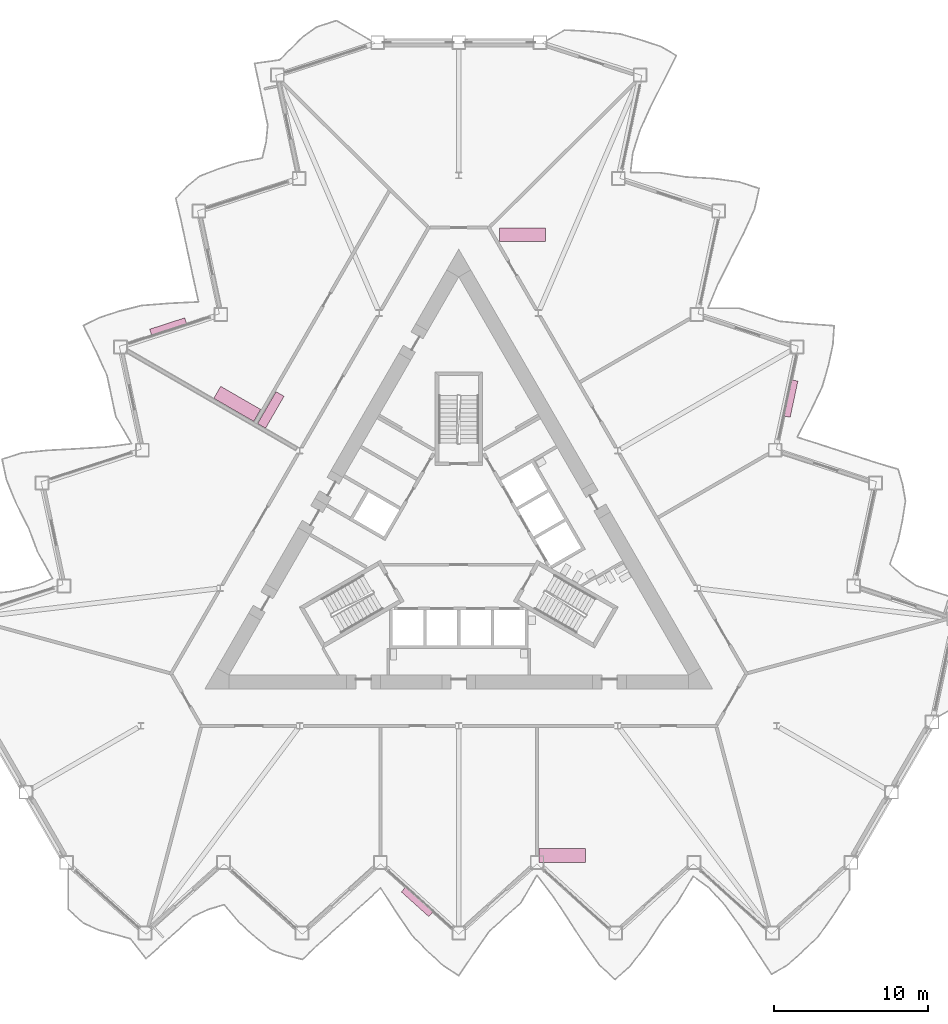
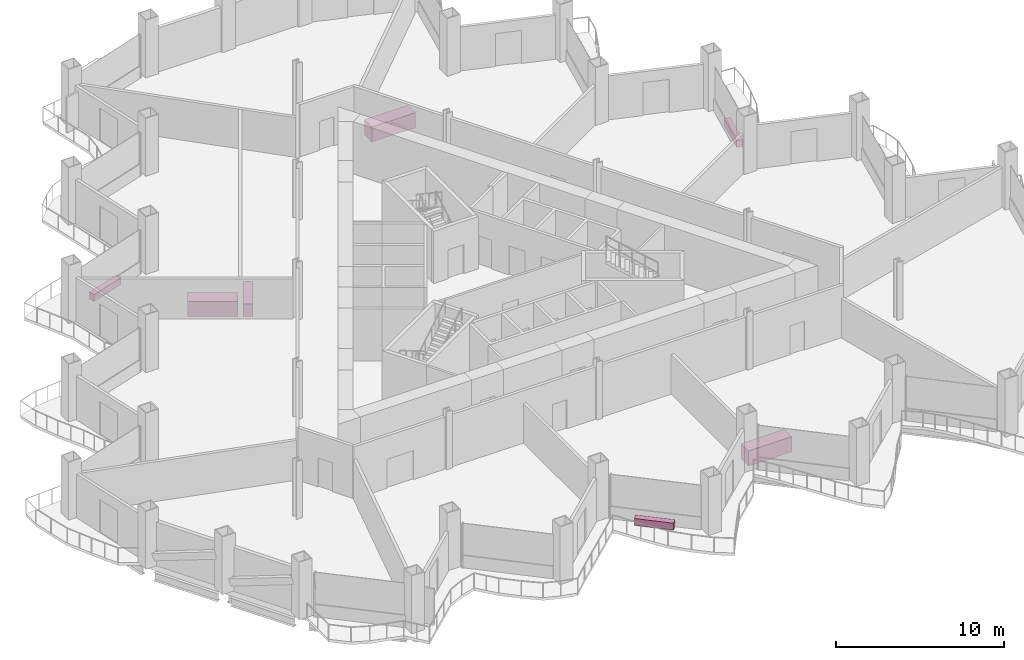
# One storey, part 21 of 21: 7 furniture elements.
"""IFC4 building model written with IfcOpenShell, lengths in metres."""

from ifc_helpers import new_model, si_unit, direction, frame, origin, origin_2d, place, context, subcontext, project, spatial, rectangle, extrude, material, type_object, element, save


model = new_model("IFC4")

# Units and contexts
model_context = context("Model", 3, precision=1e-05, world=origin(), true_north=direction((0.0, 1.0)))
body_context = subcontext(model_context, "Body", "Model", "MODEL_VIEW")
ifc_project = project(units=[si_unit("LENGTHUNIT", "METRE"), si_unit("AREAUNIT", "SQUARE_METRE"), si_unit("VOLUMEUNIT", "CUBIC_METRE"), si_unit("PLANEANGLEUNIT", "RADIAN"), si_unit("MASSUNIT", "GRAM", prefix="KILO")], contexts=[model_context])

# Site, building, storey
site_placement = place(None, origin())
site = spatial("IfcSite", under=ifc_project, at=site_placement, CompositionType="ELEMENT")
building_placement = place(site_placement, origin())
building = spatial("IfcBuilding", under=site, at=building_placement, Name="Cormorant Prow Tower", CompositionType="ELEMENT")
storey_placement = place(building_placement, frame((0.0, 0.0, 145.800048828125)))
storey = spatial("IfcBuildingStorey", under=building, at=storey_placement, Name="L31", CompositionType="ELEMENT", Elevation=145.800048828125)

# Furniture
ifc_material_1 = material(Name="Terracotta", Category="masonry")
furniture_type_1 = type_object("IfcFurnitureType", Name="Balcony planter 2400x400x500", AssemblyPlace="NOTDEFINED", PredefinedType="USERDEFINED", material=ifc_material_1)
for number, where, z_axis, x_axis, name in (
    (1, (-2.7080078125, -23.375244140625, 0.0), (0.0, 0.0, 1.0), (0.743144877867, -0.669130548174, 0.0), "Balcony planter S04"),
    (2, (21.597412109375, 9.34228515625, 0.0), (0.0, 0.0, 1.0), (0.207911666046, 0.978147605999, 0.0), "Balcony planter ENE04"),
    (3, (-18.889404296875, 14.03271484375, 0.0), (0.0, 0.0, 1.0), (-0.951056511101, -0.30901701036, 0.0), "Balcony planter WNW04"),
):
    element("IfcFurniture", number, at=place(storey_placement, frame(where, z_axis=z_axis, x_axis=x_axis)), inside=storey, type_object=furniture_type_1, Name=name, ObjectType="PLANTER", PredefinedType="USERDEFINED", context=body_context, shape_type="SweptSolid", body=[
        extrude(rectangle(XDim=2.39990234375, YDim=0.39990234375, at=origin_2d()), origin(), (0.0, 0.0, 1.0), 0.5),
    ])
ifc_material_2 = material(Name="Timber joinery", Category="wood")
furniture_type_2 = type_object("IfcFurnitureType", Name="Kitchen counter 2400x600", AssemblyPlace="NOTDEFINED", PredefinedType="NOTDEFINED", material=ifc_material_2)
furniture_placement = place(storey_placement, frame((-12.215087890625, 8.60546875, 0.0), z_axis=(0.0, 0.0, 1.0), x_axis=(0.5, 0.866025403784, 0.0)))
element("IfcFurniture", 4, at=furniture_placement, inside=storey, type_object=furniture_type_2, Name="Kitchen counter", PredefinedType="NOTDEFINED", context=body_context, shape_type="SweptSolid", body=[
    extrude(rectangle(XDim=2.39990234375, YDim=0.60009765625, at=origin_2d()), origin(), (0.0, 0.0, 1.0), 0.89990234375),
])
ifc_material_3 = material(Name="Timber joinery", Category="wood")
furniture_type_3 = type_object("IfcFurnitureType", Name="Reception desk 3000x900", AssemblyPlace="NOTDEFINED", PredefinedType="DESK", material=ifc_material_3)
for number, where, z_axis, x_axis, name in (
    (5, (6.726318359375, -20.34912109375, 0.0), (0.0, 0.0, 1.0), (1.0, 0.0, 0.0), "Reception desk"),
    (6, (4.1318359375, 19.99365234375, 0.0), (0.0, 0.0, 1.0), (1.0, 0.0, 0.0), "Reception desk"),
    (7, (-14.400146484375, 9.0009765625, 0.0), (0.0, 0.0, 1.0), (-0.866025403784, 0.5, 0.0), "Reception desk"),
):
    element("IfcFurniture", number, at=place(storey_placement, frame(where, z_axis=z_axis, x_axis=x_axis)), inside=storey, type_object=furniture_type_3, Name=name, PredefinedType="DESK", context=body_context, shape_type="SweptSolid", body=[
        extrude(rectangle(XDim=3.0, YDim=0.89990234375, at=origin_2d()), origin(), (0.0, 0.0, 1.0), 1.10009765625),
    ])

save(model, "model.ifc")
